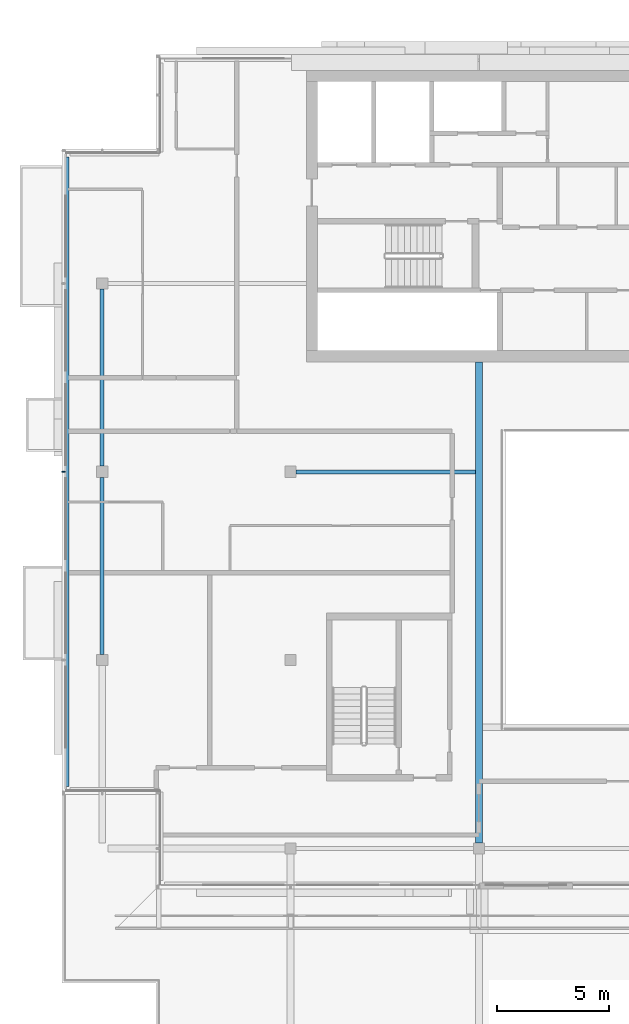
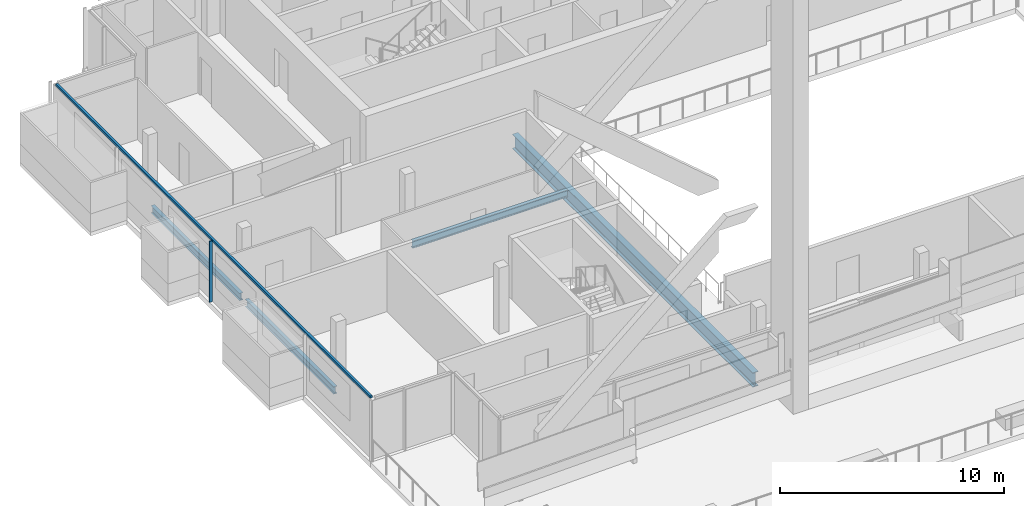
# One storey, part 3 of 22: 4 beams, 2 members, 1 element without a shape of its own.
"""IFC4 building model written with IfcOpenShell, lengths in metres."""

from ifc_helpers import new_model, si_unit, direction, frame, origin, origin_2d, place, context, subcontext, project, spatial, rectangle, i_section, extrude, material, material_profile, profile_set, type_object, element, aggregate, save


model = new_model("IFC4")

# Units and contexts
model_context = context("Model", 3, precision=1e-05, world=origin(), true_north=direction((0.0, 1.0)))
body_context = subcontext(model_context, "Body", "Model", "MODEL_VIEW")
ifc_project = project(units=[si_unit("LENGTHUNIT", "METRE"), si_unit("AREAUNIT", "SQUARE_METRE"), si_unit("VOLUMEUNIT", "CUBIC_METRE"), si_unit("PLANEANGLEUNIT", "RADIAN"), si_unit("MASSUNIT", "GRAM", prefix="KILO")], contexts=[model_context])

# Site, building, storey
site_placement = place(None, origin())
site = spatial("IfcSite", under=ifc_project, at=site_placement, CompositionType="ELEMENT")
building_placement = place(site_placement, origin())
building = spatial("IfcBuilding", under=site, at=building_placement, Name="Saffron Gate Tower", CompositionType="ELEMENT")
storey_placement = place(building_placement, frame((0.0, 0.0, 285.14990234375)))
storey = spatial("IfcBuildingStorey", under=building, at=storey_placement, Name="L69", CompositionType="ELEMENT", Elevation=285.14990234375)

# Beams
ifc_material_1 = material(Name="Structural steel S355", Category="steel")
ifc_material_profile_1 = material_profile(ifc_material_1, i_section(OverallWidth=0.300048828125, OverallDepth=0.7900390625, WebThickness=0.014892578125, FlangeThickness=0.028076171875, FilletRadius=0.030029296875, at=origin_2d()))
ifc_profile_set_1 = profile_set([ifc_material_profile_1], Name="Structural steel S355")
beam_type_1 = type_object("IfcBeamType", Name="B18 HEA 800", PredefinedType="BEAM", material=ifc_profile_set_1)
beam_1_placement = place(storey_placement, frame((75.0, 40.449951171875, -0.6748046875), z_axis=(0.0, 1.0, 0.0), x_axis=(-1.0, 0.0, 0.0)))
element("IfcBeam", 1, at=beam_1_placement, inside=storey, type_object=beam_type_1, Name="B18 ATRIUM GIRDER", PredefinedType="BEAM", context=body_context, shape_type="SweptSolid", body=[
    extrude(i_section(OverallWidth=0.300048828125, OverallDepth=0.7900390625, WebThickness=0.014892578125, FlangeThickness=0.028076171875, FilletRadius=0.030029296875, at=origin_2d()), origin(), (0.0, 0.0, 1.0), 21.449951171875),
])
ifc_material_profile_2 = material_profile(ifc_material_1, i_section(OverallWidth=0.179931640625, OverallDepth=0.39990234375, WebThickness=0.008544921875, FlangeThickness=0.013427734375, FilletRadius=0.02099609375, at=origin_2d()))
ifc_profile_set_2 = profile_set([ifc_material_profile_2], Name="Structural steel S355")
beam_type_2 = type_object("IfcBeamType", Name="B4 IPE 400", PredefinedType="BEAM", material=ifc_profile_set_2)
beam_2_placement = place(storey_placement, frame((66.85009765625, 57.0, -0.47998046875), z_axis=(1.0, 0.0, 0.0), x_axis=(0.0, 1.0, 0.0)))
element("IfcBeam", 2, at=beam_2_placement, inside=storey, type_object=beam_type_2, Name="B4 CORE TIE BEAM", PredefinedType="BEAM", context=body_context, shape_type="SweptSolid", body=[
    extrude(i_section(OverallWidth=0.179931640625, OverallDepth=0.39990234375, WebThickness=0.008544921875, FlangeThickness=0.013427734375, FilletRadius=0.02099609375, at=origin_2d()), origin(), (0.0, 0.0, 1.0), 8.0),
])
ifc_material_profile_3 = material_profile(ifc_material_1, i_section(OverallWidth=0.179931640625, OverallDepth=0.39990234375, WebThickness=0.008544921875, FlangeThickness=0.013427734375, FilletRadius=0.02099609375, at=origin_2d()))
ifc_profile_set_3 = profile_set([ifc_material_profile_3], Name="Structural steel S355")
beam_type_3 = type_object("IfcBeamType", Name="B5 IPE 400", PredefinedType="SPANDREL", material=ifc_profile_set_3)
for number, where, z_axis, x_axis, name in (
    (3, (58.199951171875, 48.85009765625, -0.47998046875), (0.0, 1.0, 0.0), (-1.0, 0.0, 0.0), "B5 SPANDREL BEAM"),
    (4, (58.199951171875, 57.25, -0.47998046875), (0.0, 1.0, 0.0), (-1.0, 0.0, 0.0), "B5 SPANDREL BEAM"),
):
    element("IfcBeam", number, at=place(storey_placement, frame(where, z_axis=z_axis, x_axis=x_axis)), inside=storey, type_object=beam_type_3, Name=name, PredefinedType="SPANDREL", context=body_context, shape_type="SweptSolid", body=[
        extrude(i_section(OverallWidth=0.179931640625, OverallDepth=0.39990234375, WebThickness=0.008544921875, FlangeThickness=0.013427734375, FilletRadius=0.02099609375, at=origin_2d()), origin(), (0.0, 0.0, 1.0), 7.89990234375),
    ])

# Curtain wall, members
ifc_material_2 = material(Name="Aluminium, bronze anodised", Category="aluminium")
curtain_wall_type = type_object("IfcCurtainWallType", Name="CWS2 curtain wall side facades", PredefinedType="NOTDEFINED", material=ifc_material_2)
curtain_wall_placement = place(storey_placement, origin())
curtain_wall = element("IfcCurtainWall", 5, at=curtain_wall_placement, inside=storey, type_object=curtain_wall_type, Name="CWS2 run 10", PredefinedType="NOTDEFINED")
ifc_material_profile_4 = material_profile(ifc_material_2, rectangle(XDim=0.1201171875, YDim=0.1201171875, at=origin_2d()))
ifc_profile_set_4 = profile_set([ifc_material_profile_4], Name="Aluminium, bronze anodised")
member_type_1 = type_object("IfcMemberType", Name="CWS2 head transom", PredefinedType="USERDEFINED", material=ifc_profile_set_4)
member_1_placement = place(storey_placement, frame((56.64794921875, 71.031982421875, 3.260009765625), z_axis=(0.0, -1.0, 0.0), x_axis=(1.0, 0.0, 0.0)))
member_1 = element("IfcMember", 6, at=member_1_placement, type_object=member_type_1, Name="CWS2 head transom", ObjectType="TRANSOM", PredefinedType="USERDEFINED", context=body_context, shape_type="SweptSolid", body=[
    extrude(rectangle(XDim=0.1201171875, YDim=0.1201171875, at=origin_2d()), origin(), (0.0, 0.0, 1.0), 28.06396484375),
])
ifc_material_profile_5 = material_profile(ifc_material_2, rectangle(XDim=0.159912109375, YDim=0.06005859375, at=origin_2d()))
ifc_profile_set_5 = profile_set([ifc_material_profile_5], Name="Aluminium, bronze anodised")
member_type_2 = type_object("IfcMemberType", Name="CWS2 mullion 60x160", PredefinedType="MULLION", material=ifc_profile_set_5)
member_2_placement = place(storey_placement, frame((56.47998046875, 57.0, 0.0), z_axis=(0.0, 0.0, 1.0), x_axis=(1.0, 0.0, 0.0)))
member_2 = element("IfcMember", 7, at=member_2_placement, type_object=member_type_2, Name="CWS2 mullion 3", PredefinedType="MULLION", context=body_context, shape_type="SweptSolid", body=[
    extrude(rectangle(XDim=0.159912109375, YDim=0.06005859375, at=origin_2d()), origin(), (0.0, 0.0, 1.0), 3.320068359375),
])
aggregate(curtain_wall, [member_2, member_1])

save(model, "model.ifc")
